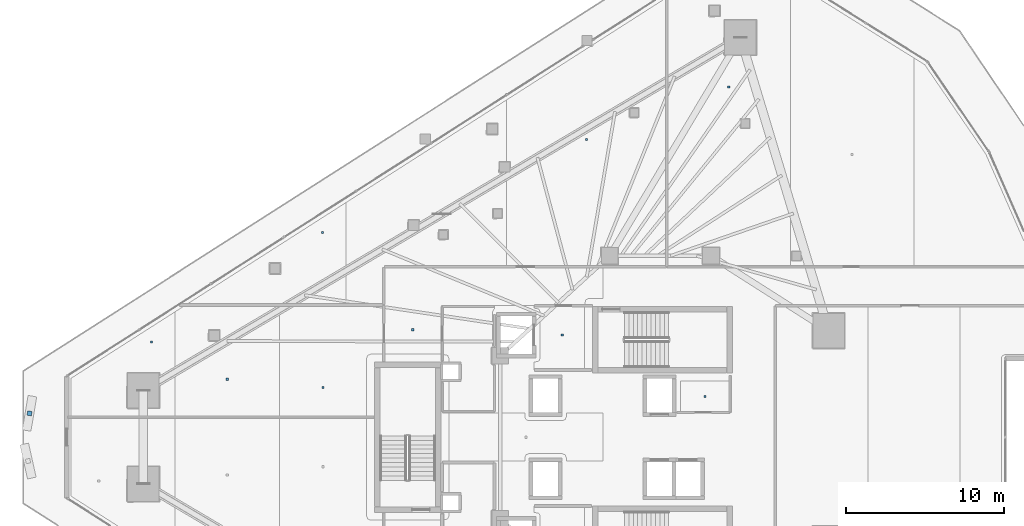
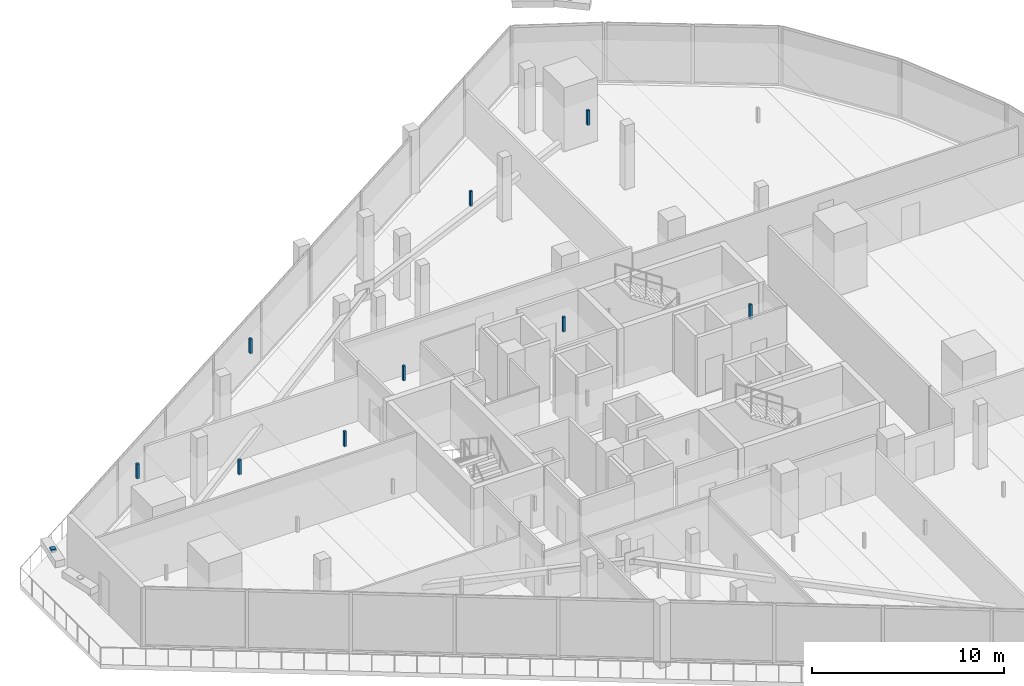
# One storey, part 35 of 45: 10 discrete accessories.
"""IFC4 building model written with IfcOpenShell, lengths in metres."""

import ifcopenshell
import ifcopenshell.guid

model = None  # the IFC model being written
_history = None  # IfcOwnerHistory: only IFC2X3 demands one
_inside = {}  # id of a spatial element -> (the spatial element, [elements in it])
_under = {}  # id of a project, library or spatial element -> (it, [spatial elements below it])
_declared = {}  # id of a project -> (the project, [libraries it declares])
_typed = {}  # id of a type object -> (the type object, [elements of that type])
_made_of = {}  # id of a material, layer set ... -> (it, [elements and type objects made of it])


def new_model(schema):
    """Start an empty IFC model of exactly this schema.

    Asked for "IFC4X3", IfcOpenShell would pick the latest addendum, in which some entities
    have other attributes; the version numbers below select the first issue.
    IFC2X3 requires an IfcOwnerHistory on every rooted entity: one is made here for all.
    """
    global model, _history
    if schema == "IFC4X3":
        model = ifcopenshell.file(schema_version=(4, 3, 0, 0))
    else:
        model = ifcopenshell.file(schema=schema)
    _inside.clear()
    _under.clear()
    _declared.clear()
    _typed.clear()
    _made_of.clear()
    _history = None
    if model.schema == "IFC2X3":
        org = make("IfcOrganization", Name="unknown")
        user = make(
            "IfcPersonAndOrganization",
            ThePerson=make("IfcPerson", FamilyName="unknown"),
            TheOrganization=org,
        )
        app = make(
            "IfcApplication",
            ApplicationDeveloper=org,
            Version="unknown",
            ApplicationFullName="unknown",
            ApplicationIdentifier="unknown",
        )
        _history = make(
            "IfcOwnerHistory",
            OwningUser=user,
            OwningApplication=app,
            ChangeAction="ADDED",
            CreationDate=0,
        )
    return model


def make(cls, **values):
    """One entity of the class cls with the attributes given. An attribute that is None is left unset."""
    return model.create_entity(
        cls, **{name: value for name, value in values.items() if value is not None}
    )


def rooted(cls, **values):
    """An entity with a GlobalId (a new one), such as an element, a storey or a relation."""
    return make(cls, GlobalId=ifcopenshell.guid.new(), OwnerHistory=_history, **values)


def si_unit(unit_type, name, prefix=None):
    """IfcSIUnit, for example si_unit("LENGTHUNIT", "METRE", prefix="MILLI")."""
    return make("IfcSIUnit", UnitType=unit_type, Prefix=prefix, Name=name)


def assignment(units):
    """IfcUnitAssignment: the units of a project."""
    return None if units is None else make("IfcUnitAssignment", Units=units)


def point(xyz):
    """IfcCartesianPoint."""
    return None if xyz is None else make("IfcCartesianPoint", Coordinates=xyz)


def direction(xyz):
    """IfcDirection."""
    return None if xyz is None else make("IfcDirection", DirectionRatios=xyz)


def frame(location, z_axis=None, x_axis=None):
    """IfcAxis2Placement3D, a coordinate frame: its origin and axes. An axis left out is left unset."""
    return make(
        "IfcAxis2Placement3D",
        Location=point(location),
        Axis=direction(z_axis),
        RefDirection=direction(x_axis),
    )


def frame_2d(location, x_axis=None):
    """IfcAxis2Placement2D, a coordinate frame in the plane: its origin and x axis."""
    return make(
        "IfcAxis2Placement2D", Location=point(location), RefDirection=direction(x_axis)
    )


def origin():
    """The frame at (0, 0, 0) with its axes left unset."""
    return frame((0.0, 0.0, 0.0))


def origin_2d():
    """The frame at (0, 0) in the plane with its x axis left unset."""
    return frame_2d((0.0, 0.0))


def place(relative_to, where):
    """IfcLocalPlacement: puts the frame where relative to a parent placement (None: the world)."""
    return make(
        "IfcLocalPlacement", PlacementRelTo=relative_to, RelativePlacement=where
    )


def context(
    kind, dimensions, precision=None, world=None, true_north=None, identifier=None
):
    """IfcGeometricRepresentationContext, for example the 3D "Model" context."""
    return make(
        "IfcGeometricRepresentationContext",
        ContextIdentifier=identifier,
        ContextType=kind,
        CoordinateSpaceDimension=dimensions,
        Precision=precision,
        WorldCoordinateSystem=world,
        TrueNorth=true_north,
    )


def subcontext(parent, identifier, kind, view, scale=None):
    """IfcGeometricRepresentationSubContext, for example "Body" below "Model"."""
    return make(
        "IfcGeometricRepresentationSubContext",
        ContextIdentifier=identifier,
        ContextType=kind,
        ParentContext=parent,
        TargetScale=scale,
        TargetView=view,
    )


def project(units=None, contexts=None):
    """IfcProject with its units and contexts."""
    return rooted(
        "IfcProject",
        Name="project",
        RepresentationContexts=contexts,
        UnitsInContext=assignment(units),
    )


def spatial(cls, under=None, at=None, **own):
    """A site, building, storey or space (cls), placed at a placement, below another one or the project."""
    s = rooted(cls, ObjectPlacement=at, **own)
    if under is not None:
        _under.setdefault(under.id(), (under, []))[1].append(s)
    return s


def profile(cls, at=None, kind="AREA", **sizes):
    """A parametric profile (cls). Its sizes go by their IFC names, for example OverallWidth=200.0."""
    return make(cls, ProfileType=kind, Position=at, **sizes)


def rectangle(**sizes):
    """IfcRectangleProfileDef."""
    return profile("IfcRectangleProfileDef", **sizes)


def extrude(swept, where, along, depth):
    """IfcExtrudedAreaSolid: the profile swept, set in the frame where, extruded along a direction by depth."""
    return make(
        "IfcExtrudedAreaSolid",
        SweptArea=swept,
        Position=where,
        ExtrudedDirection=direction(along),
        Depth=depth,
    )


def shape(context_of_items, identifier, shape_type, items):
    """IfcShapeRepresentation: the items that make up one representation, for example the "Body"."""
    return make(
        "IfcShapeRepresentation",
        ContextOfItems=context_of_items,
        RepresentationIdentifier=identifier,
        RepresentationType=shape_type,
        Items=items,
    )


def material(Name=None, Category=None):
    """IfcMaterial."""
    return make("IfcMaterial", Name=Name, Category=Category)


def made_of(thing, what):
    """Note that an element or type object is made of a material, layer set ...; save() writes the relation."""
    if what is not None:
        _made_of.setdefault(what.id(), (what, []))[1].append(thing)
    return thing


def type_object(cls, material=None, **own):
    """A type object (cls), such as IfcWallType, which elements share."""
    return made_of(rooted(cls, **own), material)


def element(
    cls,
    number,
    at=None,
    inside=None,
    cuts=None,
    type_object=None,
    material=None,
    context=None,
    identifier="Body",
    shape_type=None,
    held_by="IfcProductDefinitionShape",
    body=None,
    shapes=None,
    **own,
):
    """One element of the class cls, such as IfcWall. Its Tag is "e" and its number.

    at: its placement. inside: the storey or other place that contains it. cuts: it is an
    opening in that element (IfcRelVoidsElement). A single representation is given by context,
    identifier, shape_type and body (its items); several are given by shapes. held_by: the class
    of the entity that holds the representations. save() writes the other relations.
    """
    e = rooted(cls, Tag="e%d" % number, ObjectPlacement=at, **own)
    if body is not None:
        shapes = [shape(context, identifier, shape_type, body)]
    if shapes is not None:
        e.Representation = make(held_by, Representations=shapes)
    if inside is not None:
        _inside.setdefault(inside.id(), (inside, []))[1].append(e)
    if cuts is not None:
        rooted(
            "IfcRelVoidsElement", RelatingBuildingElement=cuts, RelatedOpeningElement=e
        )
    if type_object is not None:
        _typed.setdefault(type_object.id(), (type_object, []))[1].append(e)
    return made_of(e, material)


def aggregate(whole, parts):
    """IfcRelAggregates: a whole, such as a stair, and the parts it consists of."""
    return rooted("IfcRelAggregates", RelatingObject=whole, RelatedObjects=parts)


def save(model, path):
    """Write the relations noted so far, then the file.

    IfcRelAggregates (storeys below a building ...), IfcRelContainedInSpatialStructure (elements
    in a storey), IfcRelDefinesByType, IfcRelAssociatesMaterial and IfcRelDeclares: one each for
    every whole, place, type object, material and project.
    """
    for whole, parts in _under.values():
        aggregate(whole, parts)
    for where, things in _inside.values():
        rooted(
            "IfcRelContainedInSpatialStructure",
            RelatedElements=things,
            RelatingStructure=where,
        )
    for kind, things in _typed.values():
        rooted("IfcRelDefinesByType", RelatedObjects=things, RelatingType=kind)
    for what, things in _made_of.values():
        rooted("IfcRelAssociatesMaterial", RelatedObjects=things, RelatingMaterial=what)
    for by, libraries in _declared.values():
        rooted("IfcRelDeclares", RelatingContext=by, RelatedDefinitions=libraries)
    model.write(path)


model = new_model("IFC4")

# Units and contexts
model_context = context("Model", 3, precision=1e-05, world=origin(), true_north=direction((0.0, 1.0)))
body_context = subcontext(model_context, "Body", "Model", "MODEL_VIEW")
ifc_project = project(units=[si_unit("LENGTHUNIT", "METRE"), si_unit("AREAUNIT", "SQUARE_METRE"), si_unit("VOLUMEUNIT", "CUBIC_METRE"), si_unit("PLANEANGLEUNIT", "RADIAN"), si_unit("MASSUNIT", "GRAM", prefix="KILO")], contexts=[model_context])

# Site, building, storey
site_placement = place(None, origin())
site = spatial("IfcSite", under=ifc_project, at=site_placement, CompositionType="ELEMENT")
building_placement = place(site_placement, origin())
building = spatial("IfcBuilding", under=site, at=building_placement, Name="Qorvath Tower", CompositionType="ELEMENT")
storey_placement = place(building_placement, frame((0.0, 0.0, 126.0)))
storey = spatial("IfcBuildingStorey", under=building, at=storey_placement, Name="L28", CompositionType="ELEMENT", Elevation=126.0)

# Discrete accessories
ifc_material = material(Name="Galvanised steel bracket", Category="steel")
discrete_accessory_type = type_object("IfcDiscreteAccessoryType", Name="DA-BRACKET", PredefinedType="BRACKET", material=ifc_material)
discrete_accessory_placement = place(storey_placement, frame((-60.2392578125, 1.505615234375, 3.6298828125), z_axis=(0.0, 0.0, 1.0), x_axis=(-0.167371026267, -0.985893979881, 0.0)))
element("IfcDiscreteAccessory", 1, at=discrete_accessory_placement, inside=storey, type_object=discrete_accessory_type, Name="Louvre Wave Support Bracket L28-01", PredefinedType="NOTDEFINED", context=body_context, shape_type="SweptSolid", body=[
    extrude(rectangle(XDim=0.280029296875, YDim=0.280029296875, at=origin_2d()), origin(), (0.0, 0.0, 1.0), 0.199951171875),
])
for number, where, z_axis, x_axis, name in (
    (2, (-26.590087890625, 6.449951171875, 2.860107421875), (0.0, 0.0, 1.0), (1.0, 0.0, 0.0), "Acoustic Ceiling Suspension Hanger T1-L28-001"),
    (3, (-17.572509765625, 2.5625, 2.860107421875), (0.0, 0.0, 1.0), (1.0, 0.0, 0.0), "Acoustic Ceiling Suspension Hanger T1-L28-003"),
    (4, (-36.040283203125, 6.782470703125, 2.860107421875), (0.0, 0.0, 1.0), (1.0, 0.0, 0.0), "Acoustic Ceiling Suspension Hanger T1-L28-007"),
    (5, (-41.730712890625, 12.922119140625, 2.860107421875), (0.0, 0.0, 1.0), (1.0, 0.0, 0.0), "Acoustic Ceiling Suspension Hanger T1-L28-009"),
    (6, (-25.058837890625, 18.79345703125, 2.860107421875), (0.0, 0.0, 1.0), (1.0, 0.0, 0.0), "Acoustic Ceiling Suspension Hanger T1-L28-011"),
    (7, (-16.082763671875, 22.11083984375, 2.860107421875), (0.0, 0.0, 1.0), (1.0, 0.0, 0.0), "Acoustic Ceiling Suspension Hanger T1-L28-012"),
    (8, (-52.541015625, 6.007080078125, 2.860107421875), (0.0, 0.0, 1.0), (1.0, 0.0, 0.0), "Acoustic Ceiling Suspension Hanger T1-L28-031"),
    (9, (-47.74853515625, 3.662353515625, 2.860107421875), (0.0, 0.0, 1.0), (1.0, 0.0, 0.0), "Acoustic Ceiling Suspension Hanger T1-L28-032"),
    (10, (-41.70166015625, 3.137451171875, 2.860107421875), (0.0, 0.0, 1.0), (1.0, 0.0, 0.0), "Acoustic Ceiling Suspension Hanger T1-L28-033"),
):
    element("IfcDiscreteAccessory", number, at=place(storey_placement, frame(where, z_axis=z_axis, x_axis=x_axis)), inside=storey, type_object=discrete_accessory_type, Name=name, PredefinedType="NOTDEFINED", context=body_context, shape_type="SweptSolid", body=[
        extrude(rectangle(XDim=0.139892578125, YDim=0.139892578125, at=origin_2d()), origin(), (0.0, 0.0, 1.0), 0.93994140625),
    ])

save(model, "model.ifc")
